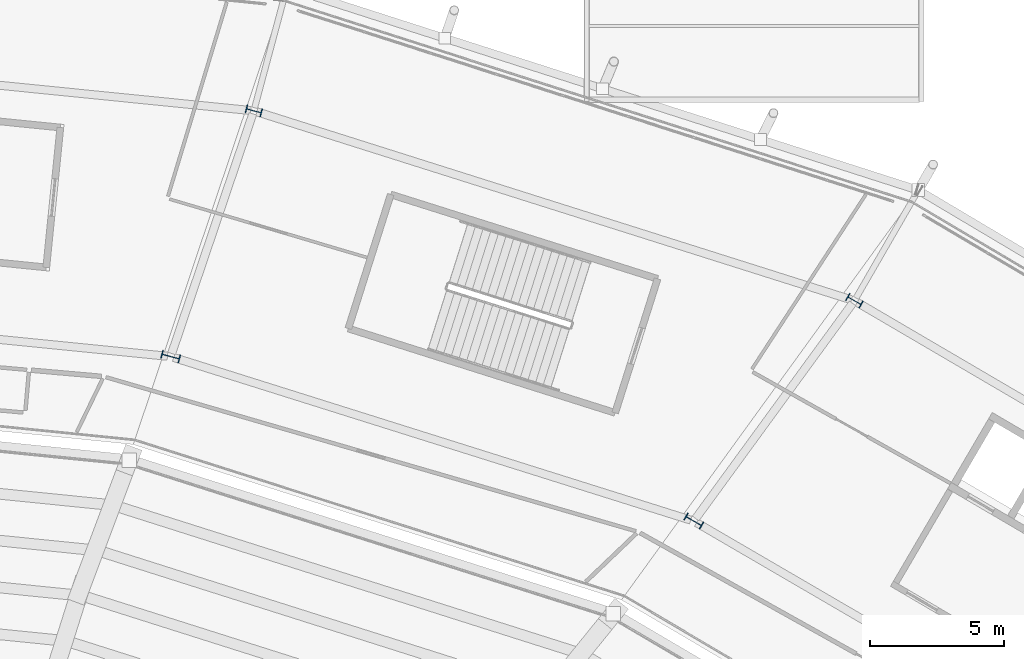
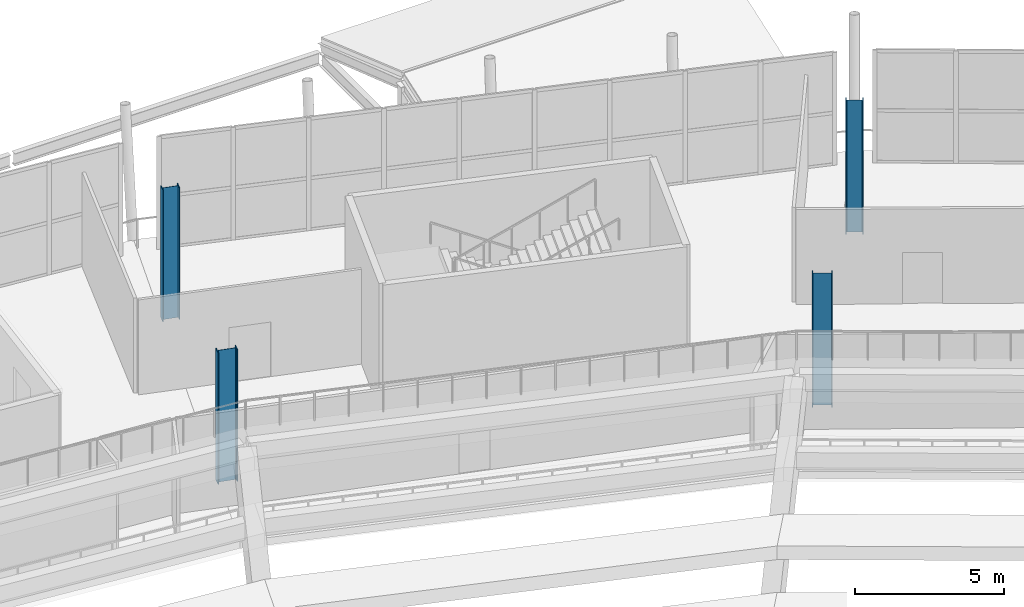
# One storey, part 11 of 126: 4 columns.
"""IFC4 building model written with IfcOpenShell, lengths in metres."""

from ifc_helpers import new_model, si_unit, direction, frame, origin, origin_2d, place, context, subcontext, project, spatial, i_section, extrude, material, material_profile, profile_set, type_object, element, save


model = new_model("IFC4")

# Units and contexts
model_context = context("Model", 3, precision=1e-05, world=origin(), true_north=direction((0.0, 1.0)))
body_context = subcontext(model_context, "Body", "Model", "MODEL_VIEW")
ifc_project = project(units=[si_unit("LENGTHUNIT", "METRE"), si_unit("AREAUNIT", "SQUARE_METRE"), si_unit("VOLUMEUNIT", "CUBIC_METRE"), si_unit("PLANEANGLEUNIT", "RADIAN"), si_unit("MASSUNIT", "GRAM", prefix="KILO")], contexts=[model_context])

# Site, building, storey
site_placement = place(None, origin())
site = spatial("IfcSite", under=ifc_project, at=site_placement, CompositionType="ELEMENT")
building_placement = place(site_placement, origin())
building = spatial("IfcBuilding", under=site, at=building_placement, Name="Zlatoyarsky Gate Stadium", CompositionType="ELEMENT")
storey_placement = place(building_placement, frame((0.0, 0.0, 20.800048828125)))
storey = spatial("IfcBuildingStorey", under=building, at=storey_placement, Name="L04", CompositionType="ELEMENT", Elevation=20.800048828125)

# Columns
ifc_material = material(Name="Steel S355", Category="steel")
ifc_material_profile_1 = material_profile(ifc_material, i_section(OverallWidth=0.300048828125, OverallDepth=0.60009765625, WebThickness=0.015380859375, FlangeThickness=0.030029296875, FilletRadius=0.027099609375, at=origin_2d()), Name="HEB 600")
ifc_profile_set_1 = profile_set([ifc_material_profile_1], Name="Steel S355")
column_type_1 = type_object("IfcColumnType", Name="STEEL COLUMN HEB 600", PredefinedType="COLUMN", material=ifc_profile_set_1)
for number, where, z_axis, x_axis, name in (
    (1, (157.5, 141.48779296875, 0.0), (0.0, 0.0, 1.0), (0.5, 0.866025403784, 0.0), "Column ST-C600 RC-04 on L04"),
    (2, (135.0703125, 148.580810546875, 0.0), (0.0, 0.0, 1.0), (0.258819045103, 0.965925826289, 0.0), "Column ST-C600 RC-05 on L04"),
):
    element("IfcColumn", number, at=place(storey_placement, frame(where, z_axis=z_axis, x_axis=x_axis)), inside=storey, type_object=column_type_1, Name=name, PredefinedType="COLUMN", context=body_context, shape_type="SweptSolid", body=[
        extrude(i_section(OverallWidth=0.300048828125, OverallDepth=0.60009765625, WebThickness=0.015380859375, FlangeThickness=0.030029296875, FilletRadius=0.027099609375, at=origin_2d()), origin(), (0.0, 0.0, 1.0), 5.39990234375),
    ])
ifc_material_profile_2 = material_profile(ifc_material, i_section(OverallWidth=0.300048828125, OverallDepth=0.699951171875, WebThickness=0.01708984375, FlangeThickness=0.031982421875, FilletRadius=0.027099609375, at=origin_2d()), Name="HEB 700")
ifc_profile_set_2 = profile_set([ifc_material_profile_2], Name="Steel S355")
column_type_2 = type_object("IfcColumnType", Name="STEEL COLUMN HEB 700", PredefinedType="COLUMN", material=ifc_profile_set_2)
for number, where, z_axis, x_axis, name in (
    (3, (151.5, 133.260498046875, 0.0), (0.0, 0.0, 1.0), (0.5, 0.866025403784, 0.0), "Column ST-C700 RB-04 on L04"),
    (4, (131.96435546875, 139.404296875, 0.0), (0.0, 0.0, 1.0), (0.258819045103, 0.965925826289, 0.0), "Column ST-C700 RB-05 on L04"),
):
    element("IfcColumn", number, at=place(storey_placement, frame(where, z_axis=z_axis, x_axis=x_axis)), inside=storey, type_object=column_type_2, Name=name, PredefinedType="COLUMN", context=body_context, shape_type="SweptSolid", body=[
        extrude(i_section(OverallWidth=0.300048828125, OverallDepth=0.699951171875, WebThickness=0.01708984375, FlangeThickness=0.031982421875, FilletRadius=0.027099609375, at=origin_2d()), origin(), (0.0, 0.0, 1.0), 5.39990234375),
    ])

save(model, "model.ifc")
